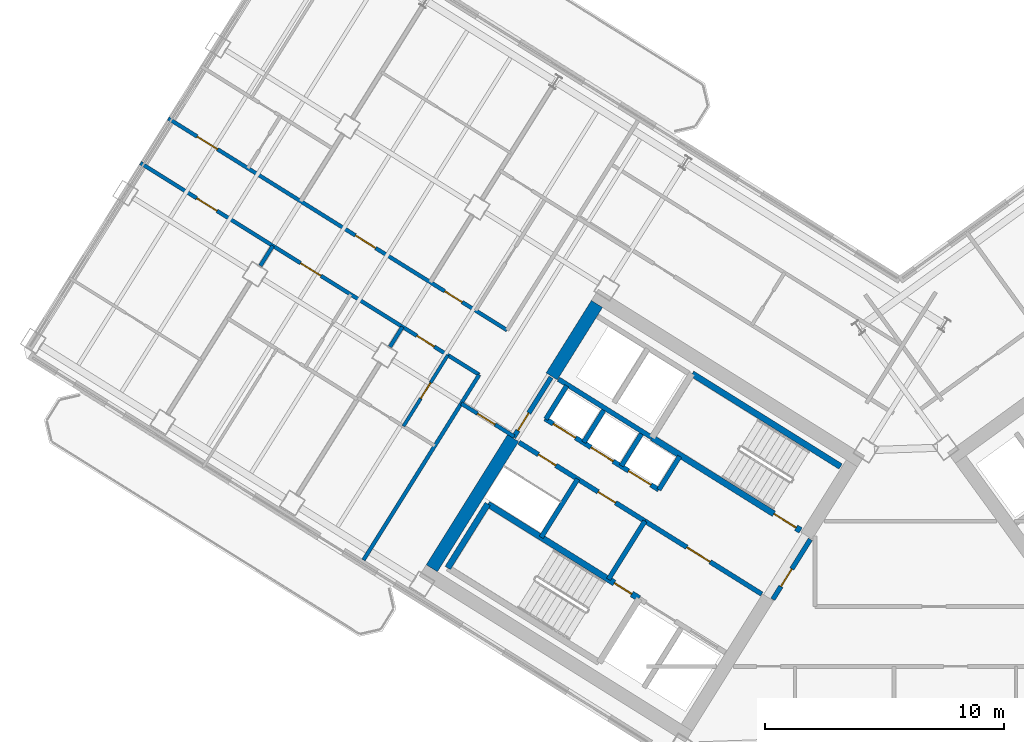
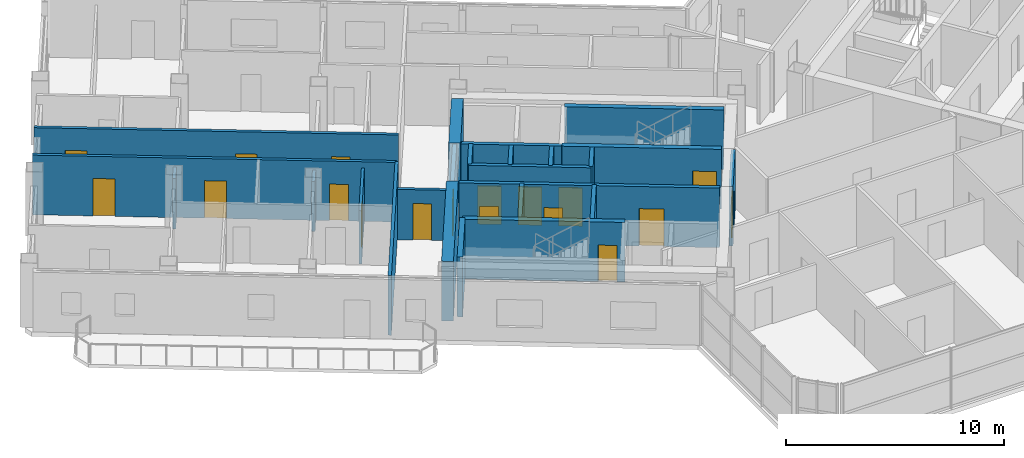
# One storey, part 12 of 21: 25 walls, 18 doors, 18 openings.
"""IFC4 building model written with IfcOpenShell, lengths in metres."""

from ifc_helpers import new_model, si_unit, direction, frame, frame_2d, origin, place, context, subcontext, project, spatial, rectangle, extrude, source, transform, mapped, material, layer, layer_set, type_object, element, fill, save


model = new_model("IFC4")

# Units and contexts
model_context = context("Model", 3, precision=1e-05, world=origin(), true_north=direction((0.0, 1.0)))
body_context = subcontext(model_context, "Body", "Model", "MODEL_VIEW")
ifc_project = project(units=[si_unit("LENGTHUNIT", "METRE"), si_unit("AREAUNIT", "SQUARE_METRE"), si_unit("VOLUMEUNIT", "CUBIC_METRE"), si_unit("PLANEANGLEUNIT", "RADIAN"), si_unit("MASSUNIT", "GRAM", prefix="KILO")], contexts=[model_context])

# Site, building, storey
site_placement = place(None, origin())
site = spatial("IfcSite", under=ifc_project, at=site_placement, CompositionType="ELEMENT")
building_placement = place(site_placement, origin())
building = spatial("IfcBuilding", under=site, at=building_placement, Name="Tlacorven Tower", CompositionType="ELEMENT")
storey_placement = place(building_placement, frame((0.0, 0.0, 184.199951171875)))
storey = spatial("IfcBuildingStorey", under=building, at=storey_placement, Name="L46", CompositionType="ELEMENT", Elevation=184.199951171875)

# Walls
ifc_material_1 = material(Name="Concrete C60/75", Category="concrete")
ifc_layer_1 = layer(ifc_material_1, 0.550048828125)
ifc_layer_set_1 = layer_set([ifc_layer_1], Name="Concrete C60/75")
wall_type_1 = type_object("IfcWallType", Name="WL-COR-550", PredefinedType="SHEAR", material=ifc_layer_set_1)
wall_1_placement = place(storey_placement, frame((29.517333984375, 30.59423828125, 0.0), z_axis=(0.0, 0.0, 1.0), x_axis=(-0.529906864564, -0.848055844204, 0.0)))
element("IfcWall", 1, at=wall_1_placement, inside=storey, type_object=wall_type_1, Name="L46 W core end wall E2.1", PredefinedType="SHEAR", context=body_context, shape_type="SweptSolid", body=[
    extrude(rectangle(XDim=3.5751953125, YDim=0.550048828125, at=frame_2d((1.78759765625, 0.0))), origin(), (0.0, 0.0, 1.0), 3.35009765625),
])
wall_2_placement = place(storey_placement, frame((26.006591796875, 24.975830078125, 0.0), z_axis=(0.0, 0.0, 1.0), x_axis=(-0.529923795287, -0.848045264823, 0.0)))
element("IfcWall", 2, at=wall_2_placement, inside=storey, type_object=wall_type_1, Name="L46 W core end wall E2.2", PredefinedType="SHEAR", context=body_context, shape_type="SweptSolid", body=[
    extrude(rectangle(XDim=6.425048828125, YDim=0.550048828125, at=frame_2d((3.21240234375, 0.0))), origin(), (0.0, 0.0, 1.0), 3.35009765625),
])

# Wall, opening, door
ifc_material_2 = material(Name="Gypsum plasterboard acoustic partition", Category="gypsum")
ifc_layer_2 = layer(ifc_material_2, 0.159912109375)
ifc_layer_set_2 = layer_set([ifc_layer_2], Name="Gypsum plasterboard acoustic partition")
wall_type_2 = type_object("IfcWallType", Name="WL-DEM-160", PredefinedType="PARTITIONING", material=ifc_layer_set_2)
wall_3_placement = place(storey_placement, frame((26.048828125, 25.043701171875, 0.0), z_axis=(0.0, 0.0, 1.0), x_axis=(-0.848050851465, 0.529914854792, 0.0)))
wall_3 = element("IfcWall", 3, at=wall_3_placement, inside=storey, type_object=wall_type_2, Name="L46 partition 44", PredefinedType="PARTITIONING", context=body_context, shape_type="SweptSolid", body=[
    extrude(rectangle(XDim=2.60986328125, YDim=0.159912109375, at=frame_2d((1.304931640625, 0.0))), origin(), (0.0, 0.0, 1.0), 2.824951171875),
])
opening_1_placement = place(wall_3_placement, frame((0.949951171875, 0.0, 0.0)))
opening_1 = element("IfcOpeningElement", 4, at=opening_1_placement, cuts=wall_3, Name="Opening D19", PredefinedType="OPENING", context=body_context, shape_type="SweptSolid", body=[
    extrude(rectangle(XDim=0.860107421875, YDim=2.050048828125, at=frame_2d((0.43017578125, 1.02490234375))), frame((0.0, 0.08984375, 0.0), z_axis=(0.0, -1.0, 0.0), x_axis=(1.0, 0.0, 0.0)), (0.0, 0.0, 1.0), 0.179931640625),
])
ifc_material_3 = material(Name="Fire-rated steel door assembly", Category="steel")
door_type_1 = type_object("IfcDoorType", Name="DR-RSR-FD60-0860", OperationType="NOTDEFINED", PredefinedType="DOOR", material=ifc_material_3)
shared_shape_1 = source(origin(), body_context, "Body", "SweptSolid", [
    extrude(rectangle(XDim=0.860107421875, YDim=2.050048828125, at=frame_2d((0.43017578125, 1.02490234375))), frame((0.0, 0.02490234375, 0.0), z_axis=(0.0, -1.0, 0.0), x_axis=(1.0, 0.0, 0.0)), (0.0, 0.0, 1.0), 0.050048828125),
])
door_1_placement = place(opening_1_placement, origin())
door_1 = element("IfcDoor", 5, at=door_1_placement, inside=storey, type_object=door_type_1, Name="L46 door 020", OperationType="SINGLE_SWING_RIGHT", OverallHeight=2.050048828125, OverallWidth=0.860107421875, PredefinedType="DOOR", context=body_context, shape_type="MappedRepresentation", body=[
    mapped(shared_shape_1, transform((0.0, 0.0, 0.0), scale=1.0)),
])
fill(opening_1, door_1)

# Wall
wall_4_placement = place(storey_placement, frame((24.587890625, 27.630859375, 0.0), z_axis=(0.0, 0.0, 1.0), x_axis=(-0.529914992377, -0.848050765494, 0.0)))
element("IfcWall", 6, at=wall_4_placement, inside=storey, type_object=wall_type_2, Name="L46 partition 46", PredefinedType="PARTITIONING", context=body_context, shape_type="SweptSolid", body=[
    extrude(rectangle(XDim=9.14990234375, YDim=0.159912109375, at=frame_2d((4.574951171875, 0.0))), origin(), (0.0, 0.0, 1.0), 3.340087890625),
])

# Wall, openings, doors
wall_5_placement = place(storey_placement, frame((25.75390625, 29.49658203125, 0.0), z_axis=(0.0, 0.0, 1.0), x_axis=(-0.848045850158, 0.529922858565, 0.0)))
wall_5 = element("IfcWall", 7, at=wall_5_placement, inside=storey, type_object=wall_type_2, Name="L46 Wing W Corridor South Wall", PredefinedType="PARTITIONING", context=body_context, shape_type="SweptSolid", body=[
    extrude(rectangle(XDim=16.730224609375, YDim=0.159912109375, at=frame_2d((8.365234375, 0.0))), origin(), (0.0, 0.0, 1.0), 3.340087890625),
])
opening_2_placement = place(wall_5_placement, frame((2.219970703125, 0.0, 0.0)))
opening_2 = element("IfcOpeningElement", 8, at=opening_2_placement, cuts=wall_5, Name="Opening D19", PredefinedType="OPENING", context=body_context, shape_type="SweptSolid", body=[
    extrude(rectangle(XDim=0.860107421875, YDim=2.050048828125, at=frame_2d((0.43017578125, 1.02490234375))), frame((0.0, 0.08984375, 0.0), z_axis=(0.0, -1.0, 0.0), x_axis=(1.0, 0.0, 0.0)), (0.0, 0.0, 1.0), 0.179931640625),
])
opening_3_placement = place(wall_5_placement, frame((6.489990234375, 0.0, 0.0)))
opening_3 = element("IfcOpeningElement", 9, at=opening_3_placement, cuts=wall_5, Name="Opening D11", PredefinedType="OPENING", context=body_context, shape_type="SweptSolid", body=[
    extrude(rectangle(XDim=1.0, YDim=2.10009765625, at=frame_2d((0.5, 1.050048828125))), frame((0.0, 0.08984375, 0.0), z_axis=(0.0, -1.0, 0.0), x_axis=(1.0, 0.0, 0.0)), (0.0, 0.0, 1.0), 0.179931640625),
])
opening_4_placement = place(wall_5_placement, frame((14.303955078125, 0.0, 0.0)))
opening_4 = element("IfcOpeningElement", 10, at=opening_4_placement, cuts=wall_5, Name="Opening D11", PredefinedType="OPENING", context=body_context, shape_type="SweptSolid", body=[
    extrude(rectangle(XDim=1.0, YDim=2.10009765625, at=frame_2d((0.5, 1.050048828125))), frame((0.0, 0.08984375, 0.0), z_axis=(0.0, -1.0, 0.0), x_axis=(1.0, 0.0, 0.0)), (0.0, 0.0, 1.0), 0.179931640625),
])
door_2_placement = place(opening_2_placement, origin())
door_2 = element("IfcDoor", 11, at=door_2_placement, inside=storey, type_object=door_type_1, Name="L46 door 031", OperationType="SINGLE_SWING_RIGHT", OverallHeight=2.050048828125, OverallWidth=0.860107421875, PredefinedType="DOOR", context=body_context, shape_type="MappedRepresentation", body=[
    mapped(shared_shape_1, transform((0.0, 0.0, 0.0), scale=1.0)),
])
fill(opening_2, door_2)
door_type_2 = type_object("IfcDoorType", Name="DR-FLT-FD60-1000", OperationType="NOTDEFINED", PredefinedType="DOOR", material=ifc_material_3)
shared_shape_2 = source(origin(), body_context, "Body", "SweptSolid", [
    extrude(rectangle(XDim=1.0, YDim=2.10009765625, at=frame_2d((0.5, 1.050048828125))), frame((0.0, 0.02490234375, 0.0), z_axis=(0.0, -1.0, 0.0), x_axis=(1.0, 0.0, 0.0)), (0.0, 0.0, 1.0), 0.050048828125),
])
door_3_placement = place(opening_3_placement, origin())
door_3 = element("IfcDoor", 12, at=door_3_placement, inside=storey, type_object=door_type_2, Name="L46 door 034", OperationType="SINGLE_SWING_LEFT", OverallHeight=2.10009765625, OverallWidth=1.0, PredefinedType="DOOR", context=body_context, shape_type="MappedRepresentation", body=[
    mapped(shared_shape_2, transform((0.0, 0.0, 0.0), scale=1.0)),
])
fill(opening_3, door_3)
door_4_placement = place(opening_4_placement, origin())
door_4 = element("IfcDoor", 13, at=door_4_placement, inside=storey, type_object=door_type_2, Name="L46 door 037", OperationType="SINGLE_SWING_RIGHT", OverallHeight=2.10009765625, OverallWidth=1.0, PredefinedType="DOOR", context=body_context, shape_type="MappedRepresentation", body=[
    mapped(shared_shape_2, transform((0.0, 0.0, 0.0), scale=1.0)),
])
fill(opening_4, door_4)

wall_6_placement = place(storey_placement, frame((24.587890625, 27.630859375, 0.0), z_axis=(0.0, 0.0, 1.0), x_axis=(-0.848041752158, 0.529929416617, 0.0)))
wall_6 = element("IfcWall", 14, at=wall_6_placement, inside=storey, type_object=wall_type_2, Name="L46 Wing W Corridor North Wall", PredefinedType="PARTITIONING", context=body_context, shape_type="SweptSolid", body=[
    extrude(rectangle(XDim=16.72998046875, YDim=0.159912109375, at=frame_2d((8.364990234375, 0.0))), origin(), (0.0, 0.0, 1.0), 3.340087890625),
])
opening_5_placement = place(wall_6_placement, frame((2.219970703125, 0.0, 0.0)))
opening_5 = element("IfcOpeningElement", 15, at=opening_5_placement, cuts=wall_6, Name="Opening D19", PredefinedType="OPENING", context=body_context, shape_type="SweptSolid", body=[
    extrude(rectangle(XDim=0.860107421875, YDim=2.050048828125, at=frame_2d((0.43017578125, 1.02490234375))), frame((0.0, 0.08984375, 0.0), z_axis=(0.0, -1.0, 0.0), x_axis=(1.0, 0.0, 0.0)), (0.0, 0.0, 1.0), 0.179931640625),
])
opening_6_placement = place(wall_6_placement, frame((7.820068359375, 0.0, 0.0)))
opening_6 = element("IfcOpeningElement", 16, at=opening_6_placement, cuts=wall_6, Name="Opening D11", PredefinedType="OPENING", context=body_context, shape_type="SweptSolid", body=[
    extrude(rectangle(XDim=1.0, YDim=2.10009765625, at=frame_2d((0.5, 1.050048828125))), frame((0.0, 0.08984375, 0.0), z_axis=(0.0, -1.0, 0.0), x_axis=(1.0, 0.0, 0.0)), (0.0, 0.0, 1.0), 0.179931640625),
])
opening_7_placement = place(wall_6_placement, frame((12.949951171875, 0.0, 0.0)))
opening_7 = element("IfcOpeningElement", 17, at=opening_7_placement, cuts=wall_6, Name="Opening D11", PredefinedType="OPENING", context=body_context, shape_type="SweptSolid", body=[
    extrude(rectangle(XDim=1.0, YDim=2.10009765625, at=frame_2d((0.5, 1.050048828125))), frame((0.0, 0.08984375, 0.0), z_axis=(0.0, -1.0, 0.0), x_axis=(1.0, 0.0, 0.0)), (0.0, 0.0, 1.0), 0.179931640625),
])
door_5_placement = place(opening_5_placement, origin())
door_5 = element("IfcDoor", 18, at=door_5_placement, inside=storey, type_object=door_type_1, Name="L46 door 022", OperationType="SINGLE_SWING_LEFT", OverallHeight=2.050048828125, OverallWidth=0.860107421875, PredefinedType="DOOR", context=body_context, shape_type="MappedRepresentation", body=[
    mapped(shared_shape_1, transform((0.0, 0.0, 0.0), scale=1.0)),
])
fill(opening_5, door_5)
door_6_placement = place(opening_6_placement, origin())
door_6 = element("IfcDoor", 19, at=door_6_placement, inside=storey, type_object=door_type_2, Name="L46 door 026", OperationType="SINGLE_SWING_LEFT", OverallHeight=2.10009765625, OverallWidth=1.0, PredefinedType="DOOR", context=body_context, shape_type="MappedRepresentation", body=[
    mapped(shared_shape_2, transform((0.0, 0.0, 0.0), scale=1.0)),
])
fill(opening_6, door_6)
door_7_placement = place(opening_7_placement, origin())
door_7 = element("IfcDoor", 20, at=door_7_placement, inside=storey, type_object=door_type_2, Name="L46 door 029", OperationType="SINGLE_SWING_RIGHT", OverallHeight=2.10009765625, OverallWidth=1.0, PredefinedType="DOOR", context=body_context, shape_type="MappedRepresentation", body=[
    mapped(shared_shape_2, transform((0.0, 0.0, 0.0), scale=1.0)),
])
fill(opening_7, door_7)

# Walls
for number, where, z_axis, x_axis, name in (
    (21, (21.3740234375, 29.639404296875, 0.0), (0.0, 0.0, 1.0), (-0.529998940003, -0.847998304005, 0.0), "L46 WN Demising Wall 1"),
    (22, (15.9462890625, 33.03076171875, 0.0), (0.0, 0.0, 1.0), (-0.529821225456, -0.848109349704, 0.0), "L46 WN Demising Wall 2"),
):
    element("IfcWall", number, at=place(storey_placement, frame(where, z_axis=z_axis, x_axis=x_axis)), inside=storey, type_object=wall_type_2, Name=name, PredefinedType="PARTITIONING", context=body_context, shape_type="SweptSolid", body=[
        extrude(rectangle(XDim=0.988037109375, YDim=0.159912109375, at=frame_2d((0.494140625, 0.0))), origin(), (0.0, 0.0, 1.0), 2.824951171875),
    ])

# Wall, opening, door
ifc_material_4 = material(Name="Moisture-resistant gypsum plumbing wall", Category="gypsum")
ifc_layer_3 = layer(ifc_material_4, 0.139892578125)
ifc_layer_set_3 = layer_set([ifc_layer_3], Name="Moisture-resistant gypsum plumbing wall")
wall_type_3 = type_object("IfcWallType", Name="WL-PLM-140", PredefinedType="PLUMBINGWALL", material=ifc_layer_set_3)
wall_7_placement = place(storey_placement, frame((23.2734375, 28.452392578125, 0.0), z_axis=(0.0, 0.0, 1.0), x_axis=(-0.529867639402, -0.848080352747, 0.0)))
wall_7 = element("IfcWall", 23, at=wall_7_placement, inside=storey, type_object=wall_type_3, Name="L46 partition 52", PredefinedType="PLUMBINGWALL", context=body_context, shape_type="SweptSolid", body=[
    extrude(rectangle(XDim=3.510009765625, YDim=0.139892578125, at=frame_2d((1.7548828125, 0.0))), origin(), (0.0, 0.0, 1.0), 2.9951171875),
])
opening_8_placement = place(wall_7_placement, frame((1.364990234375, 0.0, 0.0)))
opening_8 = element("IfcOpeningElement", 24, at=opening_8_placement, cuts=wall_7, Name="Opening D22", PredefinedType="OPENING", context=body_context, shape_type="SweptSolid", body=[
    extrude(rectangle(XDim=0.780029296875, YDim=2.050048828125, at=frame_2d((0.39013671875, 1.02490234375))), frame((0.0, 0.080078125, 0.0), z_axis=(0.0, -1.0, 0.0), x_axis=(1.0, 0.0, 0.0)), (0.0, 0.0, 1.0), 0.159912109375),
])
ifc_material_5 = material(Name="Powder-coated aluminium and timber door", Category="wood")
door_type_3 = type_object("IfcDoorType", Name="DR-INT-WET-0780", OperationType="NOTDEFINED", PredefinedType="DOOR", material=ifc_material_5)
shared_shape_3 = source(origin(), body_context, "Body", "SweptSolid", [
    extrude(rectangle(XDim=0.780029296875, YDim=2.050048828125, at=frame_2d((0.39013671875, 1.02490234375))), frame((0.0, 0.02490234375, 0.0), z_axis=(0.0, -1.0, 0.0), x_axis=(1.0, 0.0, 0.0)), (0.0, 0.0, 1.0), 0.050048828125),
])
door_8_placement = place(opening_8_placement, origin())
door_8 = element("IfcDoor", 25, at=door_8_placement, inside=storey, type_object=door_type_3, Name="L46 door 024", OperationType="SINGLE_SWING_LEFT", OverallHeight=2.050048828125, OverallWidth=0.780029296875, PredefinedType="DOOR", context=body_context, shape_type="MappedRepresentation", body=[
    mapped(shared_shape_3, transform((0.0, 0.0, 0.0), scale=1.0)),
])
fill(opening_8, door_8)

ifc_material_6 = material(Name="Concrete C40/50", Category="concrete")
ifc_layer_4 = layer(ifc_material_6, 0.199951171875)
ifc_layer_set_4 = layer_set([ifc_layer_4], Name="Concrete C40/50")
wall_type_4 = type_object("IfcWallType", Name="WL-SHF-200", PredefinedType="STANDARD", material=ifc_layer_set_4)
wall_8_placement = place(storey_placement, frame((36.416748046875, 18.447265625, 0.0), z_axis=(0.0, 0.0, 1.0), x_axis=(-0.848064879198, 0.529892404805, 0.0)))
wall_8 = element("IfcWall", 26, at=wall_8_placement, inside=storey, type_object=wall_type_4, Name="L46 Core W Smoke Lobby Wall", PredefinedType="STANDARD", context=body_context, shape_type="SweptSolid", body=[
    extrude(rectangle(XDim=5.76806640625, YDim=0.199951171875, at=frame_2d((2.884033203125, 0.0))), origin(), (0.0, 0.0, 1.0), 3.340087890625),
])
opening_9_placement = place(wall_8_placement, frame((2.548095703125, 0.0, 0.0)))
opening_9 = element("IfcOpeningElement", 27, at=opening_9_placement, cuts=wall_8, Name="Opening D09", PredefinedType="OPENING", context=body_context, shape_type="SweptSolid", body=[
    extrude(rectangle(XDim=1.14990234375, YDim=2.10009765625, at=frame_2d((0.574951171875, 1.050048828125))), frame((0.0, 0.10986328125, 0.0), z_axis=(0.0, -1.0, 0.0), x_axis=(1.0, 0.0, 0.0)), (0.0, 0.0, 1.0), 0.219970703125),
])
door_type_4 = type_object("IfcDoorType", Name="DR-FFL-FD60-1150", OperationType="NOTDEFINED", PredefinedType="DOOR", material=ifc_material_3)
shared_shape_4 = source(origin(), body_context, "Body", "SweptSolid", [
    extrude(rectangle(XDim=1.14990234375, YDim=2.10009765625, at=frame_2d((0.574951171875, 1.050048828125))), frame((0.0, 0.02490234375, 0.0), z_axis=(0.0, -1.0, 0.0), x_axis=(1.0, 0.0, 0.0)), (0.0, 0.0, 1.0), 0.050048828125),
])
door_9_placement = place(opening_9_placement, origin())
door_9 = element("IfcDoor", 28, at=door_9_placement, inside=storey, type_object=door_type_4, Name="L46 Firefighting Lobby W Fire Door", OperationType="SINGLE_SWING_RIGHT", OverallHeight=2.10009765625, OverallWidth=1.14990234375, PredefinedType="DOOR", context=body_context, shape_type="MappedRepresentation", body=[
    mapped(shared_shape_4, transform((0.0, 0.0, 0.0), scale=1.0)),
])
fill(opening_9, door_9)

# Wall
wall_9_placement = place(storey_placement, frame((31.82177734375, 24.99755859375, 0.0), z_axis=(0.0, 0.0, 1.0), x_axis=(-0.848036912365, 0.52993716162, 0.0)))
element("IfcWall", 29, at=wall_9_placement, inside=storey, type_object=wall_type_4, Name="L46 Core W South Lift Shaft Wall", PredefinedType="STANDARD", context=body_context, shape_type="SweptSolid", body=[
    extrude(rectangle(XDim=4.617919921875, YDim=0.199951171875, at=frame_2d((2.30908203125, 0.0))), origin(), (0.0, 0.0, 1.0), 3.340087890625),
])

# Wall, openings, doors
wall_10_placement = place(storey_placement, frame((32.108154296875, 22.81396484375, 0.0), z_axis=(0.0, 0.0, 1.0), x_axis=(-0.848042229521, 0.529928652696, 0.0)))
wall_10 = element("IfcWall", 30, at=wall_10_placement, inside=storey, type_object=wall_type_4, Name="L46 partition 11", PredefinedType="STANDARD", context=body_context, shape_type="SweptSolid", body=[
    extrude(rectangle(XDim=5.6201171875, YDim=0.199951171875, at=frame_2d((2.81005859375, 0.0))), origin(), (0.0, 0.0, 1.0), 3.340087890625),
])
opening_10_placement = place(wall_10_placement, frame((0.389892578125, 0.0, 0.0)))
opening_10 = element("IfcOpeningElement", 31, at=opening_10_placement, cuts=wall_10, Name="Opening LD01", PredefinedType="OPENING", context=body_context, shape_type="SweptSolid", body=[
    extrude(rectangle(XDim=1.10009765625, YDim=2.14990234375, at=frame_2d((0.550048828125, 1.074951171875))), frame((0.0, 0.10986328125, 0.0), z_axis=(0.0, -1.0, 0.0), x_axis=(1.0, 0.0, 0.0)), (0.0, 0.0, 1.0), 0.219970703125),
])
opening_11_placement = place(wall_10_placement, frame((2.25, 0.0, 0.0)))
opening_11 = element("IfcOpeningElement", 32, at=opening_11_placement, cuts=wall_10, Name="Opening LD01", PredefinedType="OPENING", context=body_context, shape_type="SweptSolid", body=[
    extrude(rectangle(XDim=1.10009765625, YDim=2.14990234375, at=frame_2d((0.550048828125, 1.074951171875))), frame((0.0, 0.10986328125, 0.0), z_axis=(0.0, -1.0, 0.0), x_axis=(1.0, 0.0, 0.0)), (0.0, 0.0, 1.0), 0.219970703125),
])
opening_12_placement = place(wall_10_placement, frame((4.110107421875, 0.0, 0.0)))
opening_12 = element("IfcOpeningElement", 33, at=opening_12_placement, cuts=wall_10, Name="Opening LD01", PredefinedType="OPENING", context=body_context, shape_type="SweptSolid", body=[
    extrude(rectangle(XDim=1.10009765625, YDim=2.14990234375, at=frame_2d((0.550048828125, 1.074951171875))), frame((0.0, 0.10986328125, 0.0), z_axis=(0.0, -1.0, 0.0), x_axis=(1.0, 0.0, 0.0)), (0.0, 0.0, 1.0), 0.219970703125),
])
door_type_5 = type_object("IfcDoorType", Name="DR-LFT-SLID-1100", OperationType="DOUBLE_DOOR_SLIDING", PredefinedType="DOOR", material=ifc_material_3)
shared_shape_5 = source(origin(), body_context, "Body", "SweptSolid", [
    extrude(rectangle(XDim=1.10009765625, YDim=2.14990234375, at=frame_2d((0.550048828125, 1.074951171875))), frame((0.0, 0.02490234375, 0.0), z_axis=(0.0, -1.0, 0.0), x_axis=(1.0, 0.0, 0.0)), (0.0, 0.0, 1.0), 0.050048828125),
])
door_10_placement = place(opening_10_placement, origin())
door_10 = element("IfcDoor", 34, at=door_10_placement, inside=storey, type_object=door_type_5, Name="L46 Lift PL-M1 Sliding Landing Door", OperationType="DOUBLE_DOOR_SLIDING", OverallHeight=2.14990234375, OverallWidth=1.10009765625, PredefinedType="DOOR", context=body_context, shape_type="MappedRepresentation", body=[
    mapped(shared_shape_5, transform((0.0, 0.0, 0.0), scale=1.0)),
])
fill(opening_10, door_10)
door_11_placement = place(opening_11_placement, origin())
door_11 = element("IfcDoor", 35, at=door_11_placement, inside=storey, type_object=door_type_5, Name="L46 Lift PL-M2 Sliding Landing Door", OperationType="DOUBLE_DOOR_SLIDING", OverallHeight=2.14990234375, OverallWidth=1.10009765625, PredefinedType="DOOR", context=body_context, shape_type="MappedRepresentation", body=[
    mapped(shared_shape_5, transform((0.0, 0.0, 0.0), scale=1.0)),
])
fill(opening_11, door_11)
door_12_placement = place(opening_12_placement, origin())
door_12 = element("IfcDoor", 36, at=door_12_placement, inside=storey, type_object=door_type_5, Name="L46 Lift PL-M3 Sliding Landing Door", OperationType="DOUBLE_DOOR_SLIDING", OverallHeight=2.14990234375, OverallWidth=1.10009765625, PredefinedType="DOOR", context=body_context, shape_type="MappedRepresentation", body=[
    mapped(shared_shape_5, transform((0.0, 0.0, 0.0), scale=1.0)),
])
fill(opening_12, door_12)

# Walls
wall_11_placement = place(storey_placement, frame((32.982421875, 24.21337890625, 0.0), z_axis=(0.0, 0.0, 1.0), x_axis=(-0.529839334948, -0.84809803628, 0.0)))
element("IfcWall", 37, at=wall_11_placement, inside=storey, type_object=wall_type_4, Name="L46 partition 12", PredefinedType="STANDARD", context=body_context, shape_type="SweptSolid", body=[
    extrude(rectangle(XDim=1.650146484375, YDim=0.199951171875, at=frame_2d((0.8251953125, 0.0))), origin(), (0.0, 0.0, 1.0), 3.340087890625),
])
wall_12_placement = place(storey_placement, frame((28.250244140625, 27.170166015625, 0.0), z_axis=(0.0, 0.0, 1.0), x_axis=(-0.529905827651, -0.848056492117, 0.0)))
element("IfcWall", 38, at=wall_12_placement, inside=storey, type_object=wall_type_4, Name="L46 partition 13", PredefinedType="STANDARD", context=body_context, shape_type="SweptSolid", body=[
    extrude(rectangle(XDim=1.64990234375, YDim=0.199951171875, at=frame_2d((0.824951171875, 0.0))), origin(), (0.0, 0.0, 1.0), 3.340087890625),
])
for number, where, z_axis, x_axis, name in (
    (39, (31.378662109375, 25.156494140625, 0.0), (0.0, 0.0, 1.0), (-0.529998940003, -0.847998304005, 0.0), "L46 partition 18"),
    (40, (29.80126953125, 26.14208984375, 0.0), (0.0, 0.0, 1.0), (-0.529998940003, -0.847998304005, 0.0), "L46 partition 19"),
):
    element("IfcWall", number, at=place(storey_placement, frame(where, z_axis=z_axis, x_axis=x_axis)), inside=storey, type_object=wall_type_4, Name=name, PredefinedType="STANDARD", context=body_context, shape_type="SweptSolid", body=[
        extrude(rectangle(XDim=1.580078125, YDim=0.199951171875, at=frame_2d((0.7900390625, 0.0))), origin(), (0.0, 0.0, 1.0), 3.340087890625),
    ])
for number, where, z_axis, x_axis, name in (
    (41, (31.525146484375, 21.503662109375, 0.0), (0.0, 0.0, 1.0), (-0.529907497854, -0.848055448493, 0.0), "L46 partition 20"),
    (42, (28.709716796875, 23.26318359375, 0.0), (0.0, 0.0, 1.0), (-0.529907497854, -0.848055448493, 0.0), "L46 partition 21"),
):
    element("IfcWall", number, at=place(storey_placement, frame(where, z_axis=z_axis, x_axis=x_axis)), inside=storey, type_object=wall_type_4, Name=name, PredefinedType="STANDARD", context=body_context, shape_type="SweptSolid", body=[
        extrude(rectangle(XDim=2.8798828125, YDim=0.199951171875, at=frame_2d((1.43994140625, 0.0))), origin(), (0.0, 0.0, 1.0), 3.340087890625),
    ])

# Wall, openings, doors
wall_13_placement = place(storey_placement, frame((31.525146484375, 21.503662109375, 0.0), z_axis=(0.0, 0.0, 1.0), x_axis=(-0.848040211232, 0.529931882541, 0.0)))
wall_13 = element("IfcWall", 43, at=wall_13_placement, inside=storey, type_object=wall_type_4, Name="L46 Core W North Service Wall", PredefinedType="STANDARD", context=body_context, shape_type="SweptSolid", body=[
    extrude(rectangle(XDim=6.218017578125, YDim=0.199951171875, at=frame_2d((3.10888671875, 0.0))), origin(), (0.0, 0.0, 1.0), 3.340087890625),
])
opening_13_placement = place(wall_13_placement, frame((4.39990234375, 0.0, 0.0)))
opening_13 = element("IfcOpeningElement", 44, at=opening_13_placement, cuts=wall_13, Name="Opening D19", PredefinedType="OPENING", context=body_context, shape_type="SweptSolid", body=[
    extrude(rectangle(XDim=0.860107421875, YDim=2.050048828125, at=frame_2d((0.43017578125, 1.02490234375))), frame((0.0, 0.10986328125, 0.0), z_axis=(0.0, -1.0, 0.0), x_axis=(1.0, 0.0, 0.0)), (0.0, 0.0, 1.0), 0.219970703125),
])
opening_14_placement = place(wall_13_placement, frame((1.449951171875, 0.0, 0.0)))
opening_14 = element("IfcOpeningElement", 45, at=opening_14_placement, cuts=wall_13, Name="Opening D19", PredefinedType="OPENING", context=body_context, shape_type="SweptSolid", body=[
    extrude(rectangle(XDim=0.860107421875, YDim=2.050048828125, at=frame_2d((0.43017578125, 1.02490234375))), frame((0.0, 0.10986328125, 0.0), z_axis=(0.0, -1.0, 0.0), x_axis=(1.0, 0.0, 0.0)), (0.0, 0.0, 1.0), 0.219970703125),
])
door_13_placement = place(opening_13_placement, frame((0.860107421875, 0.0, 0.0), z_axis=(0.0, 0.0, 1.0), x_axis=(-1.0, 0.0, 0.0)))
door_13 = element("IfcDoor", 46, at=door_13_placement, inside=storey, type_object=door_type_1, Name="L46 Electrical Riser Access Door W", OperationType="SINGLE_SWING_LEFT", OverallHeight=2.050048828125, OverallWidth=0.860107421875, PredefinedType="DOOR", context=body_context, shape_type="MappedRepresentation", body=[
    mapped(shared_shape_1, transform((0.0, 0.0, 0.0), scale=1.0)),
])
fill(opening_13, door_13)
door_14_placement = place(opening_14_placement, frame((0.860107421875, 0.0, 0.0), z_axis=(0.0, 0.0, 1.0), x_axis=(-1.0, 0.0, 0.0)))
door_14 = element("IfcDoor", 47, at=door_14_placement, inside=storey, type_object=door_type_1, Name="L46 Housekeeping Linen Access Door W", OperationType="SINGLE_SWING_RIGHT", OverallHeight=2.050048828125, OverallWidth=0.860107421875, PredefinedType="DOOR", context=body_context, shape_type="MappedRepresentation", body=[
    mapped(shared_shape_1, transform((0.0, 0.0, 0.0), scale=1.0)),
])
fill(opening_14, door_14)

# Wall, opening, door
wall_14_placement = place(storey_placement, frame((27.59619140625, 27.52001953125, 0.0), z_axis=(0.0, 0.0, 1.0), x_axis=(-0.529865479138, -0.848081702443, 0.0)))
wall_14 = element("IfcWall", 48, at=wall_14_placement, inside=storey, type_object=wall_type_4, Name="L46 partition 42", PredefinedType="STANDARD", context=body_context, shape_type="SweptSolid", body=[
    extrude(rectangle(XDim=2.9599609375, YDim=0.199951171875, at=frame_2d((1.47998046875, 0.0))), origin(), (0.0, 0.0, 1.0), 3.340087890625),
])
opening_15_placement = place(wall_14_placement, frame((1.760009765625, 0.0, 0.0)))
opening_15 = element("IfcOpeningElement", 49, at=opening_15_placement, cuts=wall_14, Name="Opening D19", PredefinedType="OPENING", context=body_context, shape_type="SweptSolid", body=[
    extrude(rectangle(XDim=0.860107421875, YDim=2.050048828125, at=frame_2d((0.43017578125, 1.02490234375))), frame((0.0, 0.10986328125, 0.0), z_axis=(0.0, -1.0, 0.0), x_axis=(1.0, 0.0, 0.0)), (0.0, 0.0, 1.0), 0.219970703125),
])
door_15_placement = place(opening_15_placement, origin())
door_15 = element("IfcDoor", 50, at=door_15_placement, inside=storey, type_object=door_type_1, Name="L46 door 021", OperationType="SINGLE_SWING_LEFT", OverallHeight=2.050048828125, OverallWidth=0.860107421875, PredefinedType="DOOR", context=body_context, shape_type="MappedRepresentation", body=[
    mapped(shared_shape_1, transform((0.0, 0.0, 0.0), scale=1.0)),
])
fill(opening_15, door_15)

wall_15_placement = place(storey_placement, frame((38.451416015625, 20.737060546875, 0.0), z_axis=(0.0, 0.0, 1.0), x_axis=(-0.529924799939, -0.848044637038, 0.0)))
wall_15 = element("IfcWall", 51, at=wall_15_placement, inside=storey, type_object=wall_type_4, Name="L46 partition 70", PredefinedType="STANDARD", context=body_context, shape_type="SweptSolid", body=[
    extrude(rectangle(XDim=2.9599609375, YDim=0.199951171875, at=frame_2d((1.47998046875, 0.0))), origin(), (0.0, 0.0, 1.0), 3.340087890625),
])
opening_16_placement = place(wall_15_placement, frame((1.4599609375, 0.0, 0.0)))
opening_16 = element("IfcOpeningElement", 52, at=opening_16_placement, cuts=wall_15, Name="Opening D19", PredefinedType="OPENING", context=body_context, shape_type="SweptSolid", body=[
    extrude(rectangle(XDim=0.860107421875, YDim=2.050048828125, at=frame_2d((0.43017578125, 1.02490234375))), frame((0.0, 0.10986328125, 0.0), z_axis=(0.0, -1.0, 0.0), x_axis=(1.0, 0.0, 0.0)), (0.0, 0.0, 1.0), 0.219970703125),
])
door_16_placement = place(opening_16_placement, frame((0.860107421875, 0.0, 0.0), z_axis=(0.0, 0.0, 1.0), x_axis=(-1.0, 0.0, 0.0)))
door_16 = element("IfcDoor", 53, at=door_16_placement, inside=storey, type_object=door_type_1, Name="L46 door 044", OperationType="SINGLE_SWING_LEFT", OverallHeight=2.050048828125, OverallWidth=0.860107421875, PredefinedType="DOOR", context=body_context, shape_type="MappedRepresentation", body=[
    mapped(shared_shape_1, transform((0.0, 0.0, 0.0), scale=1.0)),
])
fill(opening_16, door_16)

ifc_material_7 = material(Name="Concrete C50/60", Category="concrete")
ifc_layer_5 = layer(ifc_material_7, 0.260009765625)
ifc_layer_set_5 = layer_set([ifc_layer_5], Name="Concrete C50/60")
wall_type_5 = type_object("IfcWallType", Name="WL-STW-260", PredefinedType="SHEAR", material=ifc_layer_set_5)
wall_16_placement = place(storey_placement, frame((31.279541015625, 18.26123046875, 0.0), z_axis=(0.0, 0.0, 1.0), x_axis=(-0.848051618787, 0.529913626805, 0.0)))
wall_16 = element("IfcWall", 54, at=wall_16_placement, inside=storey, type_object=wall_type_5, Name="L46 Stair W1 Lobby Shear Wall", PredefinedType="SHEAR", context=body_context, shape_type="SweptSolid", body=[
    extrude(rectangle(XDim=7.4599609375, YDim=0.260009765625, at=frame_2d((3.72998046875, 0.0))), origin(), (0.0, 0.0, 1.0), 3.35009765625),
])
opening_17_placement = place(wall_16_placement, frame((0.360107421875, 0.0, 0.0)))
opening_17 = element("IfcOpeningElement", 55, at=opening_17_placement, cuts=wall_16, Name="Opening D19", PredefinedType="OPENING", context=body_context, shape_type="SweptSolid", body=[
    extrude(rectangle(XDim=0.860107421875, YDim=2.050048828125, at=frame_2d((0.43017578125, 1.02490234375))), frame((0.0, 0.14013671875, 0.0), z_axis=(0.0, -1.0, 0.0), x_axis=(1.0, 0.0, 0.0)), (0.0, 0.0, 1.0), 0.280029296875),
])
door_17_placement = place(opening_17_placement, frame((0.860107421875, 0.0, 0.0), z_axis=(0.0, 0.0, 1.0), x_axis=(-1.0, 0.0, 0.0)))
door_17 = element("IfcDoor", 56, at=door_17_placement, inside=storey, type_object=door_type_1, Name="L46 Exit Stair W1 Fire Door", OperationType="SINGLE_SWING_LEFT", OverallHeight=2.050048828125, OverallWidth=0.860107421875, PredefinedType="DOOR", context=body_context, shape_type="MappedRepresentation", body=[
    mapped(shared_shape_1, transform((0.0, 0.0, 0.0), scale=1.0)),
])
fill(opening_17, door_17)

# Walls
wall_17_placement = place(storey_placement, frame((24.944580078125, 22.2197265625, 0.0), z_axis=(0.0, 0.0, 1.0), x_axis=(-0.529908658664, -0.84805472316, 0.0)))
element("IfcWall", 57, at=wall_17_placement, inside=storey, type_object=wall_type_5, Name="L46 Stair W1 East Shear Wall", PredefinedType="SHEAR", context=body_context, shape_type="SweptSolid", body=[
    extrude(rectangle(XDim=3.16015625, YDim=0.260009765625, at=frame_2d((1.580078125, 0.0))), origin(), (0.0, 0.0, 1.0), 3.35009765625),
])
wall_18_placement = place(storey_placement, frame((39.720947265625, 23.787841796875, 0.0), z_axis=(0.0, 0.0, 1.0), x_axis=(-0.848054434086, 0.529909121291, 0.0)))
element("IfcWall", 58, at=wall_18_placement, inside=storey, type_object=wall_type_5, Name="L46 Stair W2 Far Shear Wall", PredefinedType="SHEAR", context=body_context, shape_type="SweptSolid", body=[
    extrude(rectangle(XDim=7.330078125, YDim=0.260009765625, at=frame_2d((3.6650390625, 0.0))), origin(), (0.0, 0.0, 1.0), 3.35009765625),
])

# Wall, opening, door
wall_19_placement = place(storey_placement, frame((38.04638671875, 21.10791015625, 0.0), z_axis=(0.0, 0.0, 1.0), x_axis=(-0.848054434086, 0.529909121291, 0.0)))
wall_19 = element("IfcWall", 59, at=wall_19_placement, inside=storey, type_object=wall_type_5, Name="L46 Stair W2 Lobby Shear Wall", PredefinedType="SHEAR", context=body_context, shape_type="SweptSolid", body=[
    extrude(rectangle(XDim=7.330078125, YDim=0.260009765625, at=frame_2d((3.6650390625, 0.0))), origin(), (0.0, 0.0, 1.0), 3.35009765625),
])
opening_18_placement = place(wall_19_placement, frame((0.219970703125, 0.0, 0.0)))
opening_18 = element("IfcOpeningElement", 60, at=opening_18_placement, cuts=wall_19, Name="Opening D07", PredefinedType="OPENING", context=body_context, shape_type="SweptSolid", body=[
    extrude(rectangle(XDim=1.10009765625, YDim=2.10009765625, at=frame_2d((0.550048828125, 1.050048828125))), frame((0.0, 0.14013671875, 0.0), z_axis=(0.0, -1.0, 0.0), x_axis=(1.0, 0.0, 0.0)), (0.0, 0.0, 1.0), 0.280029296875),
])
door_type_6 = type_object("IfcDoorType", Name="DR-STR-FD90-1100", OperationType="NOTDEFINED", PredefinedType="DOOR", material=ifc_material_3)
shared_shape_6 = source(origin(), body_context, "Body", "SweptSolid", [
    extrude(rectangle(XDim=1.10009765625, YDim=2.10009765625, at=frame_2d((0.550048828125, 1.050048828125))), frame((0.0, 0.02490234375, 0.0), z_axis=(0.0, -1.0, 0.0), x_axis=(1.0, 0.0, 0.0)), (0.0, 0.0, 1.0), 0.050048828125),
])
door_18_placement = place(opening_18_placement, origin())
door_18 = element("IfcDoor", 61, at=door_18_placement, inside=storey, type_object=door_type_6, Name="L46 Exit Stair W2 Fire Door", OperationType="SINGLE_SWING_LEFT", OverallHeight=2.10009765625, OverallWidth=1.10009765625, PredefinedType="DOOR", context=body_context, shape_type="MappedRepresentation", body=[
    mapped(shared_shape_6, transform((0.0, 0.0, 0.0), scale=1.0)),
])
fill(opening_18, door_18)

save(model, "model.ifc")
